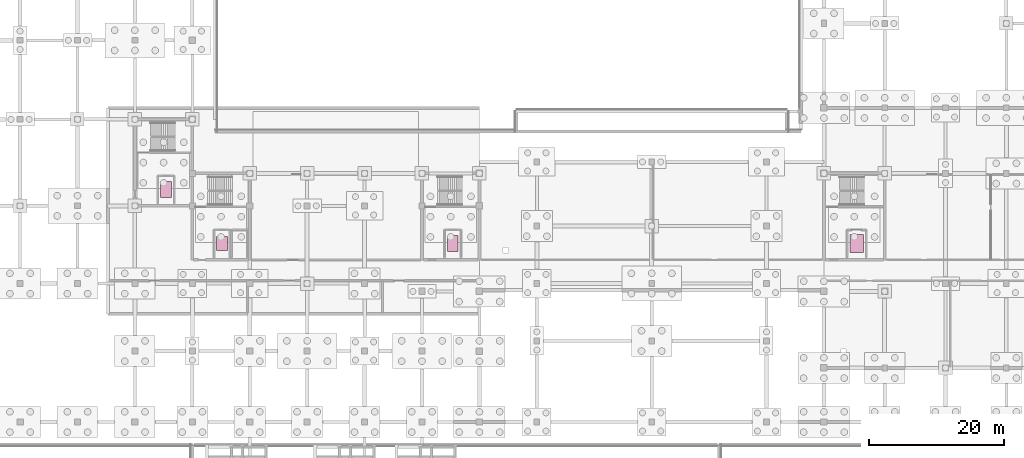
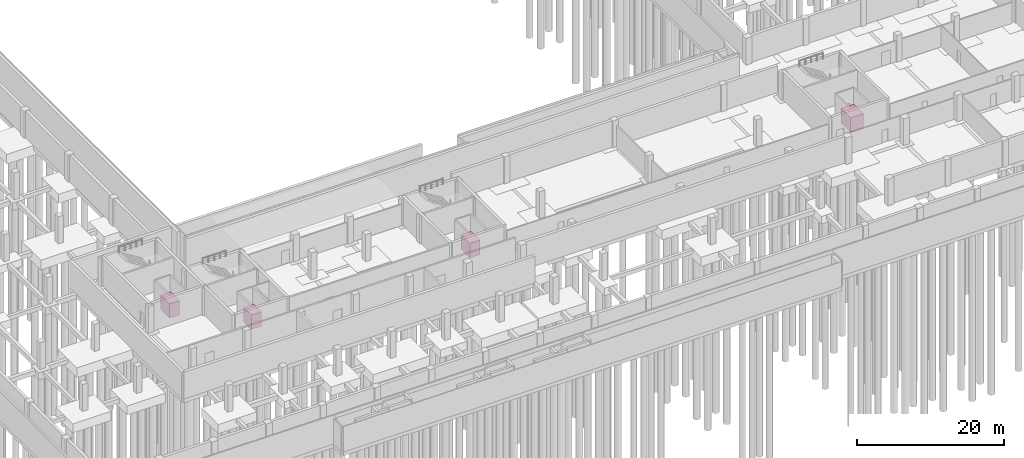
# One storey, part 25 of 25: 4 transport elements.
"""IFC4 building model written with IfcOpenShell, lengths in metres."""

from ifc_helpers import new_model, si_unit, direction, frame, origin, origin_2d, place, context, subcontext, project, spatial, rectangle, extrude, material, type_object, element, save


model = new_model("IFC4")

# Units and contexts
model_context = context("Model", 3, precision=1e-05, world=origin(), true_north=direction((0.0, 1.0)))
body_context = subcontext(model_context, "Body", "Model", "MODEL_VIEW")
ifc_project = project(units=[si_unit("LENGTHUNIT", "METRE"), si_unit("AREAUNIT", "SQUARE_METRE"), si_unit("VOLUMEUNIT", "CUBIC_METRE"), si_unit("PLANEANGLEUNIT", "RADIAN"), si_unit("MASSUNIT", "GRAM", prefix="KILO")], contexts=[model_context])

# Site, building, storey
site_placement = place(None, origin())
site = spatial("IfcSite", under=ifc_project, at=site_placement, CompositionType="ELEMENT")
building_placement = place(site_placement, origin())
building = spatial("IfcBuilding", under=site, at=building_placement, Name="Solvikara Media Centre", CompositionType="ELEMENT")
storey_placement = place(building_placement, frame((0.0, 0.0, -4.800048828125)))
storey = spatial("IfcBuildingStorey", under=building, at=storey_placement, Name="B01", CompositionType="ELEMENT", Elevation=-4.800048828125)

# Transport elements
ifc_material = material(Name="Steel S355JR", Category="steel")
transport_element_type_1 = type_object("IfcTransportElementType", Name="LF-T1", PredefinedType="ELEVATOR", material=ifc_material)
for number, where, z_axis, x_axis, name in (
    (1, (30.10009765625, 34.425048828125, 0.050048828125), (0.0, 0.0, 1.0), (1.0, 0.0, 0.0), "LF-S1"),
    (2, (72.550048828125, 26.425048828125, 0.050048828125), (0.0, 0.0, 1.0), (1.0, 0.0, 0.0), "LF-FF2"),
):
    element("IfcTransportElement", number, at=place(storey_placement, frame(where, z_axis=z_axis, x_axis=x_axis)), inside=storey, type_object=transport_element_type_1, Name=name, PredefinedType="ELEVATOR", context=body_context, shape_type="SweptSolid", body=[
        extrude(rectangle(XDim=1.60009765625, YDim=2.39990234375, at=origin_2d()), origin(), (0.0, 0.0, 1.0), 2.39990234375),
    ])
transport_element_type_2 = type_object("IfcTransportElementType", Name="LF-T2", PredefinedType="ELEVATOR", material=ifc_material)
transport_element_1_placement = place(storey_placement, frame((38.39990234375, 26.425048828125, 0.050048828125), z_axis=(0.0, 0.0, 1.0), x_axis=(1.0, 0.0, 0.0)))
element("IfcTransportElement", 3, at=transport_element_1_placement, inside=storey, type_object=transport_element_type_2, Name="LF-P1", PredefinedType="ELEVATOR", context=body_context, shape_type="SweptSolid", body=[
    extrude(rectangle(XDim=1.60009765625, YDim=2.10009765625, at=origin_2d()), origin(), (0.0, 0.0, 1.0), 2.39990234375),
])
transport_element_type_3 = type_object("IfcTransportElementType", Name="LF-T3", PredefinedType="ELEVATOR", material=ifc_material)
transport_element_2_placement = place(storey_placement, frame((132.35009765625, 26.425048828125, 0.050048828125), z_axis=(0.0, 0.0, 1.0), x_axis=(1.0, 0.0, 0.0)))
element("IfcTransportElement", 4, at=transport_element_2_placement, inside=storey, type_object=transport_element_type_3, Name="LF-G1", PredefinedType="ELEVATOR", context=body_context, shape_type="SweptSolid", body=[
    extrude(rectangle(XDim=2.0, YDim=2.60009765625, at=origin_2d()), origin(), (0.0, 0.0, 1.0), 2.39990234375),
])

save(model, "model.ifc")
